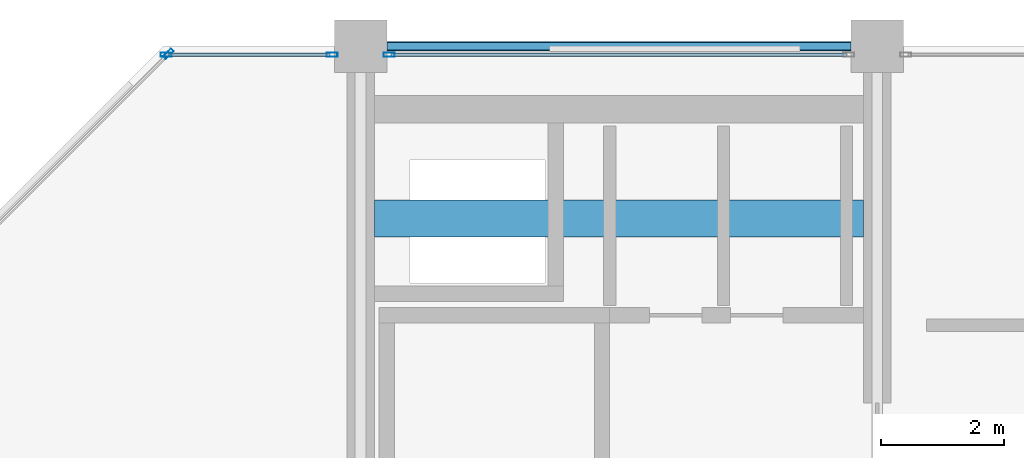
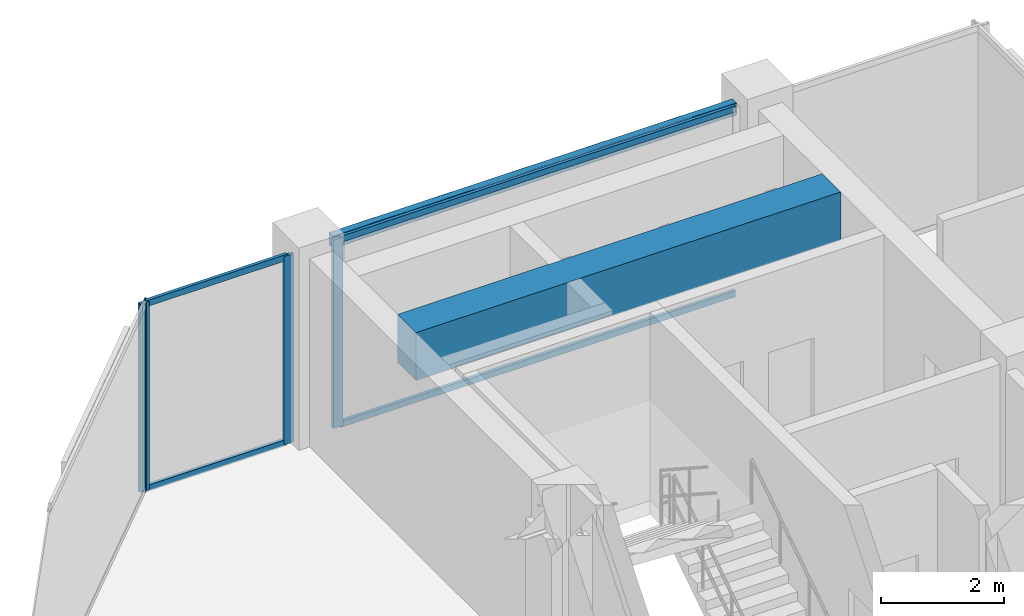
# One storey, part 17 of 24: 8 members, 2 beams, 3 elements without a shape of their own.
"""IFC4 building model written with IfcOpenShell, lengths in metres."""

from ifc_helpers import new_model, si_unit, direction, frame, origin, origin_2d, place, context, subcontext, project, spatial, rectangle, hollow_rectangle, extrude, material, layer, layer_set, material_profile, profile_set, type_object, element, aggregate, save


model = new_model("IFC4")

# Units and contexts
model_context = context("Model", 3, precision=1e-05, world=origin(), true_north=direction((0.0, 1.0)))
body_context = subcontext(model_context, "Body", "Model", "MODEL_VIEW")
ifc_project = project(units=[si_unit("LENGTHUNIT", "METRE"), si_unit("AREAUNIT", "SQUARE_METRE"), si_unit("VOLUMEUNIT", "CUBIC_METRE"), si_unit("PLANEANGLEUNIT", "RADIAN"), si_unit("MASSUNIT", "GRAM", prefix="KILO")], contexts=[model_context])

# Site, building, storey
site_placement = place(None, origin())
site = spatial("IfcSite", under=ifc_project, at=site_placement, CompositionType="ELEMENT")
building_placement = place(site_placement, origin())
building = spatial("IfcBuilding", under=site, at=building_placement, Name="Nerrivon Quay Data Exchange", CompositionType="ELEMENT")
storey_placement = place(building_placement, frame((0.0, 0.0, 294.199951171875)))
storey = spatial("IfcBuildingStorey", under=building, at=storey_placement, Name="L70", CompositionType="ELEMENT", Elevation=294.199951171875)

# Beams
ifc_material_1 = material(Name="Concrete N50 (50 MPa)", Category="concrete")
ifc_material_profile_1 = material_profile(ifc_material_1, rectangle(XDim=0.60009765625, YDim=0.949951171875, at=origin_2d()), Name="RC-CB-600x950")
ifc_profile_set_1 = profile_set([ifc_material_profile_1], Name="Concrete N50 (50 MPa)")
beam_type_1 = type_object("IfcBeamType", Name="BM-CB2-600x950", PredefinedType="LINTEL", material=ifc_profile_set_1)
beam_1_placement = place(storey_placement, frame((8.625, 39.199951171875, 3.25), z_axis=(1.0, 0.0, 0.0), x_axis=(0.0, 1.0, 0.0)))
element("IfcBeam", 1, at=beam_1_placement, inside=storey, type_object=beam_type_1, Name="L70 West Core Coupling Beam", PredefinedType="LINTEL", context=body_context, shape_type="SweptSolid", body=[
    extrude(rectangle(XDim=0.60009765625, YDim=0.949951171875, at=origin_2d()), origin(), (0.0, 0.0, 1.0), 7.949951171875),
])
ifc_material_2 = material(Name="Steel Grade C350L0 (350 MPa)", Category="steel")
ifc_material_profile_2 = material_profile(ifc_material_2, hollow_rectangle(XDim=0.14990234375, YDim=0.25, WallThickness=0.009033203125, InnerFilletRadius=0.013427734375, OuterFilletRadius=0.0224609375, at=origin_2d()), Name="250x150x9.0RHS")
ifc_profile_set_2 = profile_set([ifc_material_profile_2], Name="Steel Grade C350L0 (350 MPa)")
beam_type_2 = type_object("IfcBeamType", Name="BM-SP4-250x150RHS", PredefinedType="SPANDREL", material=ifc_profile_set_2)
beam_2_placement = place(storey_placement, frame((8.824951171875, 42.0, 3.60009765625), z_axis=(1.0, 0.0, 0.0), x_axis=(0.0, 1.0, 0.0)))
element("IfcBeam", 2, at=beam_2_placement, inside=storey, type_object=beam_type_2, Name="L70 EW Girder Y=42.0 (8.4..16.8)", PredefinedType="SPANDREL", context=body_context, shape_type="SweptSolid", body=[
    extrude(hollow_rectangle(XDim=0.14990234375, YDim=0.25, WallThickness=0.009033203125, InnerFilletRadius=0.013427734375, OuterFilletRadius=0.0224609375, at=origin_2d()), origin(), (0.0, 0.0, 1.0), 7.550048828125),
])

# Curtain wall, member
ifc_material_3 = material(Name="Anodised aluminium 6063-T6", Category="aluminium")
ifc_layer = layer(ifc_material_3, 0.195068359375)
ifc_layer_set = layer_set([ifc_layer], Name="Anodised aluminium 6063-T6")
curtain_wall_type = type_object("IfcCurtainWallType", Name="CW-SYS-06", PredefinedType="NOTDEFINED", material=ifc_layer_set)
curtain_wall_1_placement = place(storey_placement, origin())
curtain_wall_1 = element("IfcCurtainWall", 3, at=curtain_wall_1_placement, inside=storey, type_object=curtain_wall_type, Name="L70 Unitised Curtain Wall 13", PredefinedType="NOTDEFINED")
ifc_material_profile_3 = material_profile(ifc_material_3, hollow_rectangle(XDim=0.06494140625, YDim=0.179931640625, WallThickness=0.00341796875, at=origin_2d()), Name="ALU-MULL-180x65")
ifc_profile_set_3 = profile_set([ifc_material_profile_3], Name="Anodised aluminium 6063-T6")
member_type_1 = type_object("IfcMemberType", Name="CWM-180x65", PredefinedType="MULLION", material=ifc_profile_set_3)
member_1_placement = place(storey_placement, frame((5.2724609375, 41.87451171875, 0.0), z_axis=(0.0, 0.0, 1.0), x_axis=(-0.707106781187, 0.707106781187, 0.0)))
member_1 = element("IfcMember", 4, at=member_1_placement, type_object=member_type_1, Name="CW06 mullion 2", PredefinedType="MULLION", context=body_context, shape_type="SweptSolid", body=[
    extrude(hollow_rectangle(XDim=0.06494140625, YDim=0.179931640625, WallThickness=0.00341796875, at=origin_2d()), origin(), (0.0, 0.0, 1.0), 3.72509765625),
])
aggregate(curtain_wall_1, [member_1])

# Curtain wall, members
curtain_wall_2_placement = place(storey_placement, origin())
curtain_wall_2 = element("IfcCurtainWall", 5, at=curtain_wall_2_placement, inside=storey, type_object=curtain_wall_type, Name="L70 Unitised Curtain Wall 14", PredefinedType="NOTDEFINED")
member_2_placement = place(storey_placement, frame((5.237548828125, 41.860107421875, 0.0), z_axis=(0.0, 0.0, 1.0), x_axis=(0.0, 1.0, 0.0)))
member_2 = element("IfcMember", 6, at=member_2_placement, type_object=member_type_1, Name="CW06 mullion 1", PredefinedType="MULLION", context=body_context, shape_type="SweptSolid", body=[
    extrude(hollow_rectangle(XDim=0.06494140625, YDim=0.179931640625, WallThickness=0.00341796875, at=origin_2d()), origin(), (0.0, 0.0, 1.0), 3.72509765625),
])
member_3_placement = place(storey_placement, frame((7.9375, 41.860107421875, 0.0), z_axis=(0.0, 0.0, 1.0), x_axis=(0.0, 1.0, 0.0)))
member_3 = element("IfcMember", 7, at=member_3_placement, type_object=member_type_1, Name="CW06 mullion 2", PredefinedType="MULLION", context=body_context, shape_type="SweptSolid", body=[
    extrude(hollow_rectangle(XDim=0.06494140625, YDim=0.179931640625, WallThickness=0.00341796875, at=origin_2d()), origin(), (0.0, 0.0, 1.0), 3.72509765625),
])

# Curtain wall, member
curtain_wall_3_placement = place(storey_placement, origin())
curtain_wall_3 = element("IfcCurtainWall", 8, at=curtain_wall_3_placement, inside=storey, type_object=curtain_wall_type, Name="L70 Unitised Curtain Wall 15", PredefinedType="NOTDEFINED")
member_4_placement = place(storey_placement, frame((8.862548828125, 41.860107421875, 0.0), z_axis=(0.0, 0.0, 1.0), x_axis=(0.0, 1.0, 0.0)))
member_4 = element("IfcMember", 9, at=member_4_placement, type_object=member_type_1, Name="CW06 mullion 1", PredefinedType="MULLION", context=body_context, shape_type="SweptSolid", body=[
    extrude(hollow_rectangle(XDim=0.06494140625, YDim=0.179931640625, WallThickness=0.00341796875, at=origin_2d()), origin(), (0.0, 0.0, 1.0), 3.72509765625),
])

# Member
ifc_material_profile_4 = material_profile(ifc_material_3, hollow_rectangle(XDim=0.06005859375, YDim=0.1201171875, WallThickness=0.003173828125, at=origin_2d()), Name="ALU-TRAN-120x60")
ifc_profile_set_4 = profile_set([ifc_material_profile_4], Name="Anodised aluminium 6063-T6")
member_type_2 = type_object("IfcMemberType", Name="CWT-120x60", PredefinedType="USERDEFINED", material=ifc_profile_set_4)
member_5_placement = place(storey_placement, frame((5.27490234375, 41.860107421875, 0.032470703125), z_axis=(1.0, 0.0, 0.0), x_axis=(0.0, 1.0, 0.0)))
member_5 = element("IfcMember", 10, at=member_5_placement, type_object=member_type_2, Name="CW06 transom 1.1", ObjectType="TRANSOM", PredefinedType="USERDEFINED", context=body_context, shape_type="SweptSolid", body=[
    extrude(hollow_rectangle(XDim=0.06005859375, YDim=0.1201171875, WallThickness=0.003173828125, at=origin_2d()), origin(), (0.0, 0.0, 1.0), 2.625),
])

member_6_placement = place(storey_placement, frame((5.27490234375, 41.860107421875, 3.692626953125), z_axis=(1.0, 0.0, 0.0), x_axis=(0.0, 1.0, 0.0)))
member_6 = element("IfcMember", 11, at=member_6_placement, type_object=member_type_2, Name="CW06 transom 1.2", ObjectType="TRANSOM", PredefinedType="USERDEFINED", context=body_context, shape_type="SweptSolid", body=[
    extrude(hollow_rectangle(XDim=0.06005859375, YDim=0.1201171875, WallThickness=0.003173828125, at=origin_2d()), origin(), (0.0, 0.0, 1.0), 2.625),
])

aggregate(curtain_wall_2, [member_2, member_3, member_5, member_6])

member_7_placement = place(storey_placement, frame((8.89990234375, 41.860107421875, 0.032470703125), z_axis=(1.0, 0.0, 0.0), x_axis=(0.0, 1.0, 0.0)))
member_7 = element("IfcMember", 12, at=member_7_placement, type_object=member_type_2, Name="CW06 transom 1.1", ObjectType="TRANSOM", PredefinedType="USERDEFINED", context=body_context, shape_type="SweptSolid", body=[
    extrude(hollow_rectangle(XDim=0.06005859375, YDim=0.1201171875, WallThickness=0.003173828125, at=origin_2d()), origin(), (0.0, 0.0, 1.0), 7.400146484375),
])

member_8_placement = place(storey_placement, frame((8.89990234375, 41.860107421875, 3.692626953125), z_axis=(1.0, 0.0, 0.0), x_axis=(0.0, 1.0, 0.0)))
member_8 = element("IfcMember", 13, at=member_8_placement, type_object=member_type_2, Name="CW06 transom 1.2", ObjectType="TRANSOM", PredefinedType="USERDEFINED", context=body_context, shape_type="SweptSolid", body=[
    extrude(hollow_rectangle(XDim=0.06005859375, YDim=0.1201171875, WallThickness=0.003173828125, at=origin_2d()), origin(), (0.0, 0.0, 1.0), 7.400146484375),
])

aggregate(curtain_wall_3, [member_4, member_7, member_8])

save(model, "model.ifc")
